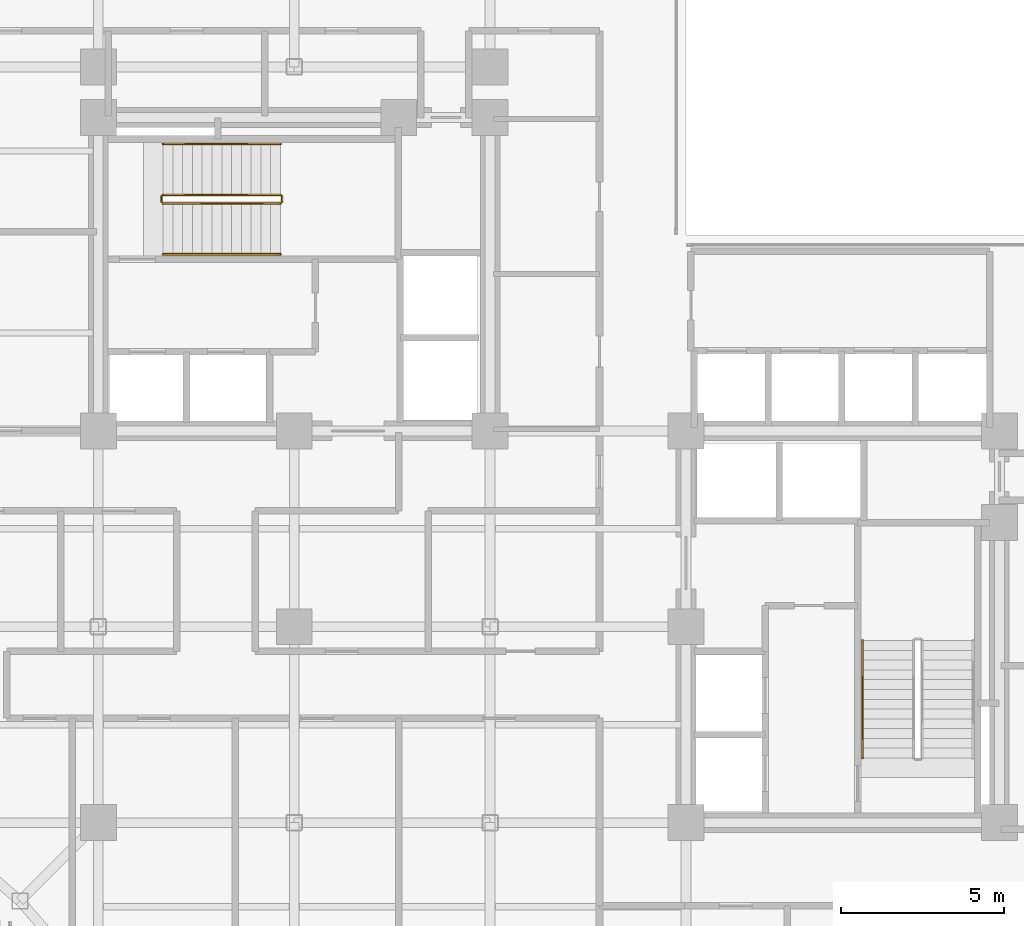
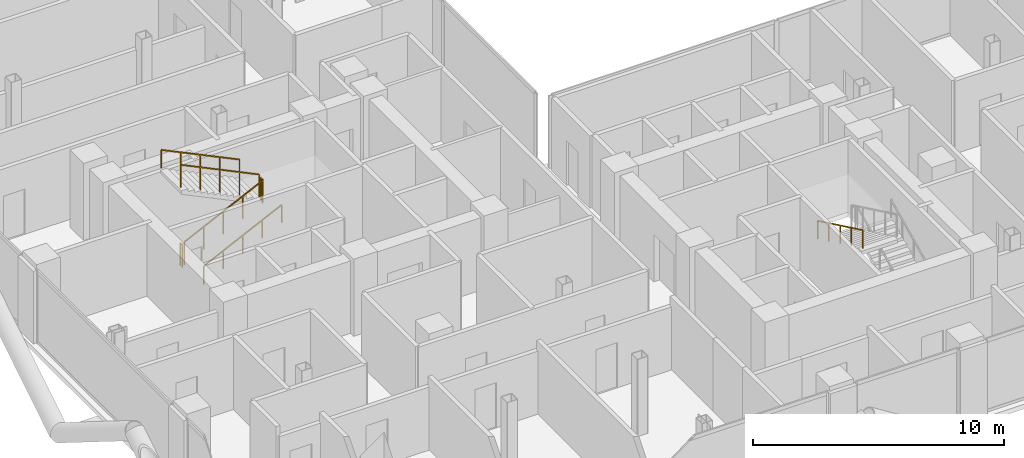
# One storey, part 26 of 28: 7 railings.
"""IFC4 building model written with IfcOpenShell, lengths in metres."""

import ifcopenshell
import ifcopenshell.guid

model = None  # the IFC model being written
_history = None  # IfcOwnerHistory: only IFC2X3 demands one
_inside = {}  # id of a spatial element -> (the spatial element, [elements in it])
_under = {}  # id of a project, library or spatial element -> (it, [spatial elements below it])
_declared = {}  # id of a project -> (the project, [libraries it declares])
_typed = {}  # id of a type object -> (the type object, [elements of that type])
_made_of = {}  # id of a material, layer set ... -> (it, [elements and type objects made of it])


def new_model(schema):
    """Start an empty IFC model of exactly this schema.

    Asked for "IFC4X3", IfcOpenShell would pick the latest addendum, in which some entities
    have other attributes; the version numbers below select the first issue.
    IFC2X3 requires an IfcOwnerHistory on every rooted entity: one is made here for all.
    """
    global model, _history
    if schema == "IFC4X3":
        model = ifcopenshell.file(schema_version=(4, 3, 0, 0))
    else:
        model = ifcopenshell.file(schema=schema)
    _inside.clear()
    _under.clear()
    _declared.clear()
    _typed.clear()
    _made_of.clear()
    _history = None
    if model.schema == "IFC2X3":
        org = make("IfcOrganization", Name="unknown")
        user = make(
            "IfcPersonAndOrganization",
            ThePerson=make("IfcPerson", FamilyName="unknown"),
            TheOrganization=org,
        )
        app = make(
            "IfcApplication",
            ApplicationDeveloper=org,
            Version="unknown",
            ApplicationFullName="unknown",
            ApplicationIdentifier="unknown",
        )
        _history = make(
            "IfcOwnerHistory",
            OwningUser=user,
            OwningApplication=app,
            ChangeAction="ADDED",
            CreationDate=0,
        )
    return model


def make(cls, **values):
    """One entity of the class cls with the attributes given. An attribute that is None is left unset."""
    return model.create_entity(
        cls, **{name: value for name, value in values.items() if value is not None}
    )


def rooted(cls, **values):
    """An entity with a GlobalId (a new one), such as an element, a storey or a relation."""
    return make(cls, GlobalId=ifcopenshell.guid.new(), OwnerHistory=_history, **values)


def si_unit(unit_type, name, prefix=None):
    """IfcSIUnit, for example si_unit("LENGTHUNIT", "METRE", prefix="MILLI")."""
    return make("IfcSIUnit", UnitType=unit_type, Prefix=prefix, Name=name)


def assignment(units):
    """IfcUnitAssignment: the units of a project."""
    return None if units is None else make("IfcUnitAssignment", Units=units)


def point(xyz):
    """IfcCartesianPoint."""
    return None if xyz is None else make("IfcCartesianPoint", Coordinates=xyz)


def direction(xyz):
    """IfcDirection."""
    return None if xyz is None else make("IfcDirection", DirectionRatios=xyz)


def frame(location, z_axis=None, x_axis=None):
    """IfcAxis2Placement3D, a coordinate frame: its origin and axes. An axis left out is left unset."""
    return make(
        "IfcAxis2Placement3D",
        Location=point(location),
        Axis=direction(z_axis),
        RefDirection=direction(x_axis),
    )


def frame_2d(location, x_axis=None):
    """IfcAxis2Placement2D, a coordinate frame in the plane: its origin and x axis."""
    return make(
        "IfcAxis2Placement2D", Location=point(location), RefDirection=direction(x_axis)
    )


def origin():
    """The frame at (0, 0, 0) with its axes left unset."""
    return frame((0.0, 0.0, 0.0))


def origin_2d():
    """The frame at (0, 0) in the plane with its x axis left unset."""
    return frame_2d((0.0, 0.0))


def place(relative_to, where):
    """IfcLocalPlacement: puts the frame where relative to a parent placement (None: the world)."""
    return make(
        "IfcLocalPlacement", PlacementRelTo=relative_to, RelativePlacement=where
    )


def context(
    kind, dimensions, precision=None, world=None, true_north=None, identifier=None
):
    """IfcGeometricRepresentationContext, for example the 3D "Model" context."""
    return make(
        "IfcGeometricRepresentationContext",
        ContextIdentifier=identifier,
        ContextType=kind,
        CoordinateSpaceDimension=dimensions,
        Precision=precision,
        WorldCoordinateSystem=world,
        TrueNorth=true_north,
    )


def subcontext(parent, identifier, kind, view, scale=None):
    """IfcGeometricRepresentationSubContext, for example "Body" below "Model"."""
    return make(
        "IfcGeometricRepresentationSubContext",
        ContextIdentifier=identifier,
        ContextType=kind,
        ParentContext=parent,
        TargetScale=scale,
        TargetView=view,
    )


def project(units=None, contexts=None):
    """IfcProject with its units and contexts."""
    return rooted(
        "IfcProject",
        Name="project",
        RepresentationContexts=contexts,
        UnitsInContext=assignment(units),
    )


def spatial(cls, under=None, at=None, **own):
    """A site, building, storey or space (cls), placed at a placement, below another one or the project."""
    s = rooted(cls, ObjectPlacement=at, **own)
    if under is not None:
        _under.setdefault(under.id(), (under, []))[1].append(s)
    return s


def profile(cls, at=None, kind="AREA", **sizes):
    """A parametric profile (cls). Its sizes go by their IFC names, for example OverallWidth=200.0."""
    return make(cls, ProfileType=kind, Position=at, **sizes)


def rectangle(**sizes):
    """IfcRectangleProfileDef."""
    return profile("IfcRectangleProfileDef", **sizes)


def extrude(swept, where, along, depth):
    """IfcExtrudedAreaSolid: the profile swept, set in the frame where, extruded along a direction by depth."""
    return make(
        "IfcExtrudedAreaSolid",
        SweptArea=swept,
        Position=where,
        ExtrudedDirection=direction(along),
        Depth=depth,
    )


def shape(context_of_items, identifier, shape_type, items):
    """IfcShapeRepresentation: the items that make up one representation, for example the "Body"."""
    return make(
        "IfcShapeRepresentation",
        ContextOfItems=context_of_items,
        RepresentationIdentifier=identifier,
        RepresentationType=shape_type,
        Items=items,
    )


def material(Name=None, Category=None):
    """IfcMaterial."""
    return make("IfcMaterial", Name=Name, Category=Category)


def made_of(thing, what):
    """Note that an element or type object is made of a material, layer set ...; save() writes the relation."""
    if what is not None:
        _made_of.setdefault(what.id(), (what, []))[1].append(thing)
    return thing


def type_object(cls, material=None, **own):
    """A type object (cls), such as IfcWallType, which elements share."""
    return made_of(rooted(cls, **own), material)


def element(
    cls,
    number,
    at=None,
    inside=None,
    cuts=None,
    type_object=None,
    material=None,
    context=None,
    identifier="Body",
    shape_type=None,
    held_by="IfcProductDefinitionShape",
    body=None,
    shapes=None,
    **own,
):
    """One element of the class cls, such as IfcWall. Its Tag is "e" and its number.

    at: its placement. inside: the storey or other place that contains it. cuts: it is an
    opening in that element (IfcRelVoidsElement). A single representation is given by context,
    identifier, shape_type and body (its items); several are given by shapes. held_by: the class
    of the entity that holds the representations. save() writes the other relations.
    """
    e = rooted(cls, Tag="e%d" % number, ObjectPlacement=at, **own)
    if body is not None:
        shapes = [shape(context, identifier, shape_type, body)]
    if shapes is not None:
        e.Representation = make(held_by, Representations=shapes)
    if inside is not None:
        _inside.setdefault(inside.id(), (inside, []))[1].append(e)
    if cuts is not None:
        rooted(
            "IfcRelVoidsElement", RelatingBuildingElement=cuts, RelatedOpeningElement=e
        )
    if type_object is not None:
        _typed.setdefault(type_object.id(), (type_object, []))[1].append(e)
    return made_of(e, material)


def aggregate(whole, parts):
    """IfcRelAggregates: a whole, such as a stair, and the parts it consists of."""
    return rooted("IfcRelAggregates", RelatingObject=whole, RelatedObjects=parts)


def save(model, path):
    """Write the relations noted so far, then the file.

    IfcRelAggregates (storeys below a building ...), IfcRelContainedInSpatialStructure (elements
    in a storey), IfcRelDefinesByType, IfcRelAssociatesMaterial and IfcRelDeclares: one each for
    every whole, place, type object, material and project.
    """
    for whole, parts in _under.values():
        aggregate(whole, parts)
    for where, things in _inside.values():
        rooted(
            "IfcRelContainedInSpatialStructure",
            RelatedElements=things,
            RelatingStructure=where,
        )
    for kind, things in _typed.values():
        rooted("IfcRelDefinesByType", RelatedObjects=things, RelatingType=kind)
    for what, things in _made_of.values():
        rooted("IfcRelAssociatesMaterial", RelatedObjects=things, RelatingMaterial=what)
    for by, libraries in _declared.values():
        rooted("IfcRelDeclares", RelatingContext=by, RelatedDefinitions=libraries)
    model.write(path)


model = new_model("IFC4")

# Units and contexts
model_context = context("Model", 3, precision=1e-05, world=origin(), true_north=direction((0.0, 1.0)))
body_context = subcontext(model_context, "Body", "Model", "MODEL_VIEW")
ifc_project = project(units=[si_unit("LENGTHUNIT", "METRE"), si_unit("AREAUNIT", "SQUARE_METRE"), si_unit("VOLUMEUNIT", "CUBIC_METRE"), si_unit("PLANEANGLEUNIT", "RADIAN"), si_unit("MASSUNIT", "GRAM", prefix="KILO"), si_unit("THERMODYNAMICTEMPERATUREUNIT", "KELVIN"), si_unit("POWERUNIT", "WATT")], contexts=[model_context])

# Site, building, storey
site_placement = place(None, origin())
site = spatial("IfcSite", under=ifc_project, at=site_placement, CompositionType="ELEMENT")
building_placement = place(site_placement, origin())
building = spatial("IfcBuilding", under=site, at=building_placement, Name="Svarakhadi Broadcast Tower", CompositionType="ELEMENT")
storey_placement = place(building_placement, frame((0.0, 0.0, 119.39990234375)))
storey = spatial("IfcBuildingStorey", under=building, at=storey_placement, Name="L28", CompositionType="ELEMENT", Elevation=119.39990234375)

# Railings
ifc_material = material(Name="Anodised Bronze Aluminium AA 6063-T6", Category="aluminium")
railing_type_1 = type_object("IfcRailingType", Name="Guard_Stair_GR01", PredefinedType="GUARDRAIL", material=ifc_material)
railing_1_placement = place(storey_placement, frame((7.97998046875, 24.969970703125, 0.144287109375)))
element("IfcRailing", 1, at=railing_1_placement, inside=storey, type_object=railing_type_1, Name="L28 ST-01 stair guard 1", PredefinedType="GUARDRAIL", context=body_context, shape_type="SweptSolid", body=[
    extrude(rectangle(XDim=0.048095703125, YDim=0.048095703125, at=origin_2d()), frame((0.0, 0.0, 1.09619140625), z_axis=(0.901262522062, 0.0, 0.433273431364), x_axis=(0.0, 1.0, 0.0)), (0.0, 0.0, 1.0), 3.994384765625),
    extrude(rectangle(XDim=0.0419921875, YDim=0.0419921875, at=origin_2d()), origin(), (0.0, 0.0, 1.0), 1.072021484375),
    extrude(rectangle(XDim=0.0419921875, YDim=0.0419921875, at=origin_2d()), frame((0.89990234375, 0.0, 0.4326171875)), (0.0, 0.0, 1.0), 1.072021484375),
    extrude(rectangle(XDim=0.0419921875, YDim=0.0419921875, at=origin_2d()), frame((1.800048828125, 0.0, 0.865234375)), (0.0, 0.0, 1.0), 1.072021484375),
    extrude(rectangle(XDim=0.0419921875, YDim=0.0419921875, at=origin_2d()), frame((2.7001953125, 0.0, 1.298095703125)), (0.0, 0.0, 1.0), 1.072021484375),
    extrude(rectangle(XDim=0.0419921875, YDim=0.0419921875, at=origin_2d()), frame((3.60009765625, 0.0, 1.730712890625)), (0.0, 0.0, 1.0), 1.072021484375),
])
railing_2_placement = place(storey_placement, frame((11.6298828125, 25.02001953125, 1.875)))
element("IfcRailing", 2, at=railing_2_placement, inside=storey, type_object=railing_type_1, Name="L28 ST-01 stair guard 2", PredefinedType="GUARDRAIL", context=body_context, shape_type="SweptSolid", body=[
    extrude(rectangle(XDim=0.048095703125, YDim=0.048095703125, at=origin_2d()), frame((0.0, 0.0, 1.09619140625), z_axis=(0.0, 1.0, 0.0), x_axis=(-1.0, 0.0, 0.0)), (0.0, 0.0, 1.0), 0.159912109375),
    extrude(rectangle(XDim=0.0419921875, YDim=0.0419921875, at=origin_2d()), origin(), (0.0, 0.0, 1.0), 1.072021484375),
    extrude(rectangle(XDim=0.0419921875, YDim=0.0419921875, at=origin_2d()), frame((0.0, 0.159912109375, 0.0)), (0.0, 0.0, 1.0), 1.072021484375),
])
railing_3_placement = place(storey_placement, frame((11.580078125, 25.22998046875, 2.019287109375)))
element("IfcRailing", 3, at=railing_3_placement, inside=storey, type_object=railing_type_1, Name="L28 ST-01 stair guard 3", PredefinedType="GUARDRAIL", context=body_context, shape_type="SweptSolid", body=[
    extrude(rectangle(XDim=0.048095703125, YDim=0.048095703125, at=origin_2d()), frame((0.0, 0.0, 1.09619140625), z_axis=(-0.901262522062, 0.0, 0.433273431364), x_axis=(0.0, -1.0, 0.0)), (0.0, 0.0, 1.0), 3.994384765625),
    extrude(rectangle(XDim=0.0419921875, YDim=0.0419921875, at=origin_2d()), origin(), (0.0, 0.0, 1.0), 1.072021484375),
    extrude(rectangle(XDim=0.0419921875, YDim=0.0419921875, at=origin_2d()), frame((-0.89990234375, 0.0, 0.4326171875)), (0.0, 0.0, 1.0), 1.072021484375),
    extrude(rectangle(XDim=0.0419921875, YDim=0.0419921875, at=origin_2d()), frame((-1.800048828125, 0.0, 0.865234375)), (0.0, 0.0, 1.0), 1.072021484375),
    extrude(rectangle(XDim=0.0419921875, YDim=0.0419921875, at=origin_2d()), frame((-2.7001953125, 0.0, 1.298095703125)), (0.0, 0.0, 1.0), 1.072021484375),
    extrude(rectangle(XDim=0.0419921875, YDim=0.0419921875, at=origin_2d()), frame((-3.60009765625, 0.0, 1.730712890625)), (0.0, 0.0, 1.0), 1.072021484375),
])
railing_4_placement = place(storey_placement, frame((7.929931640625, 25.02001953125, 0.0)))
element("IfcRailing", 4, at=railing_4_placement, inside=storey, type_object=railing_type_1, Name="L28 ST-01 stair guard 4", PredefinedType="GUARDRAIL", context=body_context, shape_type="SweptSolid", body=[
    extrude(rectangle(XDim=0.048095703125, YDim=0.048095703125, at=origin_2d()), frame((0.0, 0.0, 1.09619140625), z_axis=(0.0, 1.0, 0.0), x_axis=(-1.0, 0.0, 0.0)), (0.0, 0.0, 1.0), 0.159912109375),
    extrude(rectangle(XDim=0.0419921875, YDim=0.0419921875, at=origin_2d()), origin(), (0.0, 0.0, 1.0), 1.072021484375),
    extrude(rectangle(XDim=0.0419921875, YDim=0.0419921875, at=origin_2d()), frame((0.0, 0.159912109375, 0.0)), (0.0, 0.0, 1.0), 1.072021484375),
])
railing_type_2 = type_object("IfcRailingType", Name="Handrail_Stair_HR01", PredefinedType="HANDRAIL", material=ifc_material)
railing_5_placement = place(storey_placement, frame((7.97998046875, 23.409912109375, 0.144287109375)))
element("IfcRailing", 5, at=railing_5_placement, inside=storey, type_object=railing_type_2, Name="L28 ST-01 stair handrail 1", PredefinedType="HANDRAIL", context=body_context, shape_type="SweptSolid", body=[
    extrude(rectangle(XDim=0.048095703125, YDim=0.048095703125, at=origin_2d()), frame((0.0, 0.0, 0.8759765625), z_axis=(0.901262522062, 0.0, 0.433273431364), x_axis=(0.0, 1.0, 0.0)), (0.0, 0.0, 1.0), 3.994384765625),
    extrude(rectangle(XDim=0.0419921875, YDim=0.0419921875, at=origin_2d()), origin(), (0.0, 0.0, 1.0), 0.851806640625),
    extrude(rectangle(XDim=0.0419921875, YDim=0.0419921875, at=origin_2d()), frame((0.89990234375, 0.0, 0.4326171875)), (0.0, 0.0, 1.0), 0.851806640625),
    extrude(rectangle(XDim=0.0419921875, YDim=0.0419921875, at=origin_2d()), frame((1.800048828125, 0.0, 0.865234375)), (0.0, 0.0, 1.0), 0.851806640625),
    extrude(rectangle(XDim=0.0419921875, YDim=0.0419921875, at=origin_2d()), frame((2.7001953125, 0.0, 1.298095703125)), (0.0, 0.0, 1.0), 0.851806640625),
    extrude(rectangle(XDim=0.0419921875, YDim=0.0419921875, at=origin_2d()), frame((3.60009765625, 0.0, 1.730712890625)), (0.0, 0.0, 1.0), 0.851806640625),
])
railing_6_placement = place(storey_placement, frame((11.580078125, 26.7900390625, 2.019287109375)))
element("IfcRailing", 6, at=railing_6_placement, inside=storey, type_object=railing_type_2, Name="L28 ST-01 stair handrail 2", PredefinedType="HANDRAIL", context=body_context, shape_type="SweptSolid", body=[
    extrude(rectangle(XDim=0.048095703125, YDim=0.048095703125, at=origin_2d()), frame((0.0, 0.0, 0.8759765625), z_axis=(-0.901262522062, 0.0, 0.433273431364), x_axis=(0.0, -1.0, 0.0)), (0.0, 0.0, 1.0), 3.994384765625),
    extrude(rectangle(XDim=0.0419921875, YDim=0.0419921875, at=origin_2d()), origin(), (0.0, 0.0, 1.0), 0.851806640625),
    extrude(rectangle(XDim=0.0419921875, YDim=0.0419921875, at=origin_2d()), frame((-0.89990234375, 0.0, 0.4326171875)), (0.0, 0.0, 1.0), 0.851806640625),
    extrude(rectangle(XDim=0.0419921875, YDim=0.0419921875, at=origin_2d()), frame((-1.800048828125, 0.0, 0.865234375)), (0.0, 0.0, 1.0), 0.851806640625),
    extrude(rectangle(XDim=0.0419921875, YDim=0.0419921875, at=origin_2d()), frame((-2.7001953125, 0.0, 1.298095703125)), (0.0, 0.0, 1.0), 0.851806640625),
    extrude(rectangle(XDim=0.0419921875, YDim=0.0419921875, at=origin_2d()), frame((-3.60009765625, 0.0, 1.730712890625)), (0.0, 0.0, 1.0), 0.851806640625),
])
railing_7_placement = place(storey_placement, frame((29.409912109375, 11.580078125, 2.019287109375)))
element("IfcRailing", 7, at=railing_7_placement, inside=storey, type_object=railing_type_2, Name="L28 ST-02 stair handrail 2", PredefinedType="HANDRAIL", context=body_context, shape_type="SweptSolid", body=[
    extrude(rectangle(XDim=0.048095703125, YDim=0.048095703125, at=origin_2d()), frame((0.0, 0.0, 0.8759765625), z_axis=(0.0, -0.901262522062, 0.433273431364), x_axis=(1.0, 0.0, 0.0)), (0.0, 0.0, 1.0), 3.994384765625),
    extrude(rectangle(XDim=0.0419921875, YDim=0.0419921875, at=origin_2d()), origin(), (0.0, 0.0, 1.0), 0.851806640625),
    extrude(rectangle(XDim=0.0419921875, YDim=0.0419921875, at=origin_2d()), frame((0.0, -0.89990234375, 0.4326171875)), (0.0, 0.0, 1.0), 0.851806640625),
    extrude(rectangle(XDim=0.0419921875, YDim=0.0419921875, at=origin_2d()), frame((0.0, -1.800048828125, 0.865234375)), (0.0, 0.0, 1.0), 0.851806640625),
    extrude(rectangle(XDim=0.0419921875, YDim=0.0419921875, at=origin_2d()), frame((0.0, -2.7001953125, 1.298095703125)), (0.0, 0.0, 1.0), 0.851806640625),
    extrude(rectangle(XDim=0.0419921875, YDim=0.0419921875, at=origin_2d()), frame((0.0, -3.60009765625, 1.730712890625)), (0.0, 0.0, 1.0), 0.851806640625),
])

save(model, "model.ifc")
